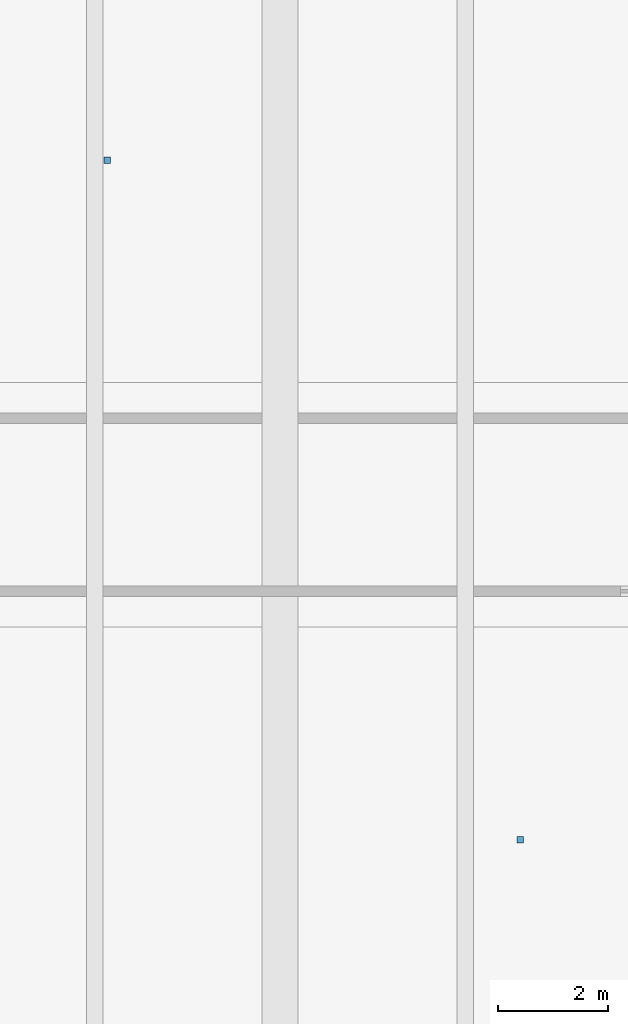
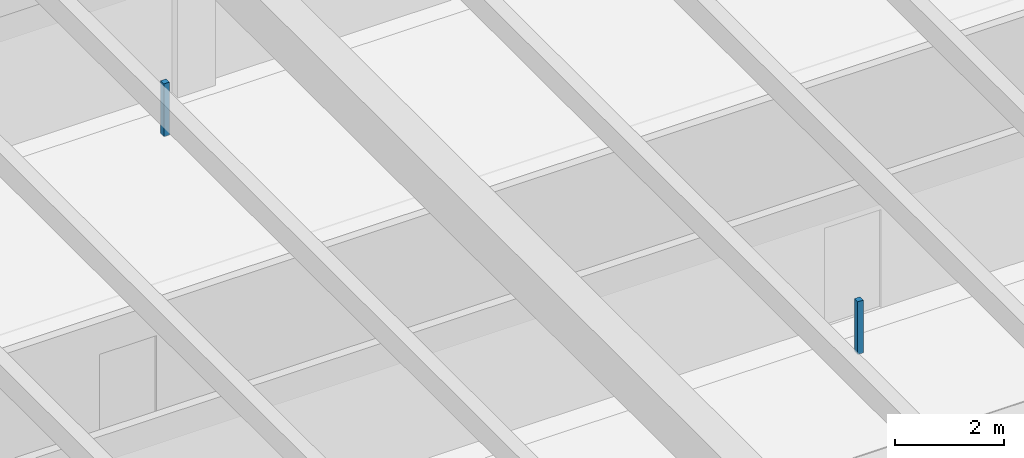
# One storey, part 17 of 28: 2 discrete accessories.
"""IFC4 building model written with IfcOpenShell, lengths in metres."""

from ifc_helpers import new_model, si_unit, direction, frame, origin, origin_2d, place, context, subcontext, project, spatial, rectangle, extrude, material, type_object, element, save


model = new_model("IFC4")

# Units and contexts
model_context = context("Model", 3, precision=1e-05, world=origin(), true_north=direction((0.0, 1.0)))
body_context = subcontext(model_context, "Body", "Model", "MODEL_VIEW")
ifc_project = project(units=[si_unit("LENGTHUNIT", "METRE"), si_unit("AREAUNIT", "SQUARE_METRE"), si_unit("VOLUMEUNIT", "CUBIC_METRE"), si_unit("PLANEANGLEUNIT", "RADIAN"), si_unit("MASSUNIT", "GRAM", prefix="KILO")], contexts=[model_context])

# Site, building, storey
site_placement = place(None, origin())
site = spatial("IfcSite", under=ifc_project, at=site_placement, CompositionType="ELEMENT")
building_placement = place(site_placement, origin())
building = spatial("IfcBuilding", under=site, at=building_placement, Name="Fikremerkos Civic Library", CompositionType="ELEMENT")
storey_placement = place(building_placement, frame((0.0, 0.0, -4.199951171875)))
storey = spatial("IfcBuildingStorey", under=building, at=storey_placement, Name="B01", CompositionType="ELEMENT", Elevation=-4.199951171875)

# Discrete accessories
ifc_material = material(Name="Galvanized Steel S275", Category="steel")
discrete_accessory_type = type_object("IfcDiscreteAccessoryType", Name="Ceiling hanger bracket BRK-01", PredefinedType="BRACKET", material=ifc_material)
for number, where, z_axis, x_axis, name in (
    (1, (97.050048828125, 112.89990234375, 2.759765625), (0.0, 0.0, 1.0), (1.0, 0.0, 0.0), "Acoustic ceiling hanger bracket #17"),
    (2, (104.574951171875, 100.52490234375, 2.759765625), (0.0, 0.0, 1.0), (1.0, 0.0, 0.0), "Acoustic ceiling hanger bracket #18"),
):
    element("IfcDiscreteAccessory", number, at=place(storey_placement, frame(where, z_axis=z_axis, x_axis=x_axis)), inside=storey, type_object=discrete_accessory_type, Name=name, PredefinedType="BRACKET", context=body_context, shape_type="SweptSolid", body=[
        extrude(rectangle(XDim=0.1201171875, YDim=0.1201171875, at=origin_2d()), origin(), (0.0, 0.0, 1.0), 1.179931640625),
    ])

save(model, "model.ifc")
